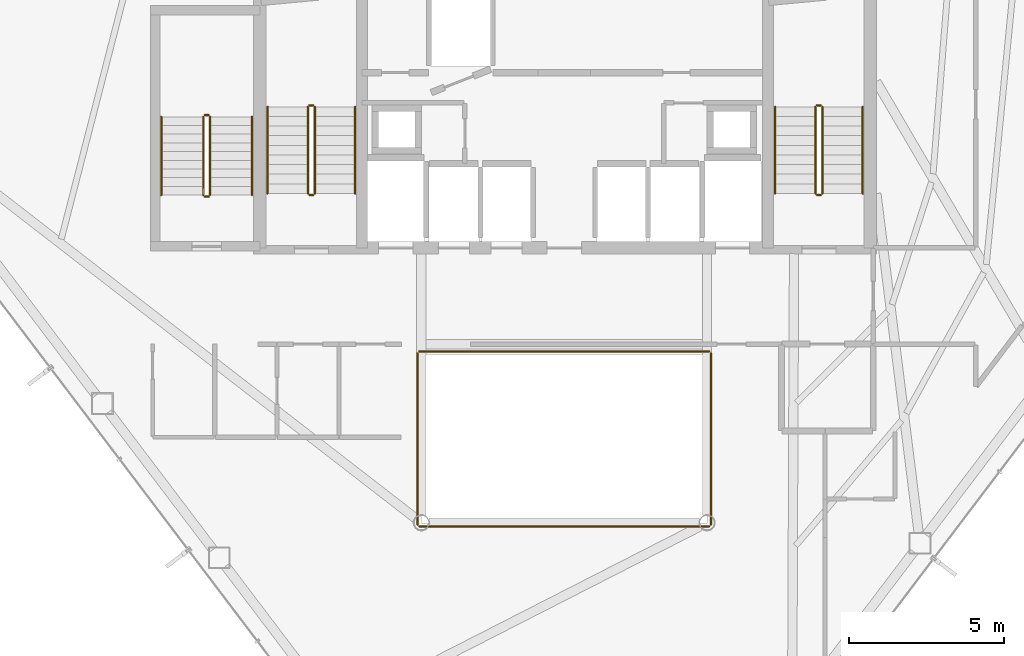
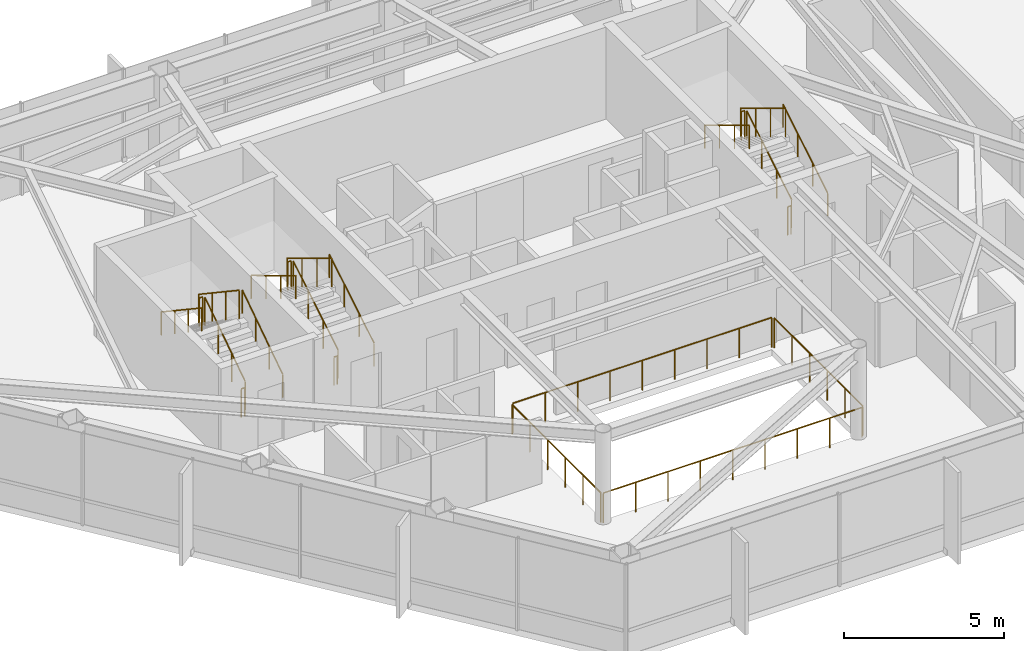
# One storey, part 28 of 28: 22 railings.
"""IFC4 building model written with IfcOpenShell, lengths in metres."""

from ifc_helpers import new_model, si_unit, direction, frame, origin, origin_2d, place, context, subcontext, project, spatial, circle, extrude, material, type_object, element, save


model = new_model("IFC4")

# Units and contexts
model_context = context("Model", 3, precision=1e-05, world=origin(), true_north=direction((0.0, 1.0)))
body_context = subcontext(model_context, "Body", "Model", "MODEL_VIEW")
ifc_project = project(units=[si_unit("LENGTHUNIT", "METRE"), si_unit("AREAUNIT", "SQUARE_METRE"), si_unit("VOLUMEUNIT", "CUBIC_METRE"), si_unit("PLANEANGLEUNIT", "RADIAN"), si_unit("MASSUNIT", "GRAM", prefix="KILO")], contexts=[model_context])

# Site, building, storey
site_placement = place(None, origin())
site = spatial("IfcSite", under=ifc_project, at=site_placement, CompositionType="ELEMENT")
building_placement = place(site_placement, origin())
building = spatial("IfcBuilding", under=site, at=building_placement, Name="Zarrinselat Tower", CompositionType="ELEMENT")
storey_placement = place(building_placement, frame((0.0, 0.0, 168.300048828125)))
storey = spatial("IfcBuildingStorey", under=building, at=storey_placement, Name="L41", CompositionType="ELEMENT", Elevation=168.300048828125)

# Railings
ifc_material_1 = material(Name="Double Low-E Laminated Solar Glass", Category="glass")
railing_type_1 = type_object("IfcRailingType", Name="RLG-ATRIUM-BAL", PredefinedType="BALUSTRADE", material=ifc_material_1)
railing_1_placement = place(storey_placement, frame((33.739990234375, 24.280029296875, 0.0)))
element("IfcRailing", 1, at=railing_1_placement, inside=storey, type_object=railing_type_1, Name="L41 Atrium Void Glass Balustrade S", PredefinedType="BALUSTRADE", context=body_context, shape_type="SweptSolid", body=[
    extrude(circle(Radius=0.02392578125, at=origin_2d()), frame((0.0, 0.0, 1.1259765625), z_axis=(1.0, 0.0, 0.0), x_axis=(0.0, 1.0, 0.0)), (0.0, 0.0, 1.0), 9.320068359375),
    extrude(circle(Radius=0.02099609375, at=origin_2d()), origin(), (0.0, 0.0, 1.0), 1.099853515625),
    extrude(circle(Radius=0.02099609375, at=origin_2d()), frame((1.1650390625, 0.0, 0.0)), (0.0, 0.0, 1.0), 1.099853515625),
    extrude(circle(Radius=0.02099609375, at=origin_2d()), frame((2.330078125, 0.0, 0.0)), (0.0, 0.0, 1.0), 1.099853515625),
    extrude(circle(Radius=0.02099609375, at=origin_2d()), frame((3.4951171875, 0.0, 0.0)), (0.0, 0.0, 1.0), 1.099853515625),
    extrude(circle(Radius=0.02099609375, at=origin_2d()), frame((4.66015625, 0.0, 0.0)), (0.0, 0.0, 1.0), 1.099853515625),
    extrude(circle(Radius=0.02099609375, at=origin_2d()), frame((5.824951171875, 0.0, 0.0)), (0.0, 0.0, 1.0), 1.099853515625),
    extrude(circle(Radius=0.02099609375, at=origin_2d()), frame((6.989990234375, 0.0, 0.0)), (0.0, 0.0, 1.0), 1.099853515625),
    extrude(circle(Radius=0.02099609375, at=origin_2d()), frame((8.155029296875, 0.0, 0.0)), (0.0, 0.0, 1.0), 1.099853515625),
    extrude(circle(Radius=0.02099609375, at=origin_2d()), frame((9.320068359375, 0.0, 0.0)), (0.0, 0.0, 1.0), 1.099853515625),
])
railing_2_placement = place(storey_placement, frame((43.1201171875, 24.340087890625, 0.0)))
element("IfcRailing", 2, at=railing_2_placement, inside=storey, type_object=railing_type_1, Name="L41 Atrium Void Glass Balustrade E", PredefinedType="BALUSTRADE", context=body_context, shape_type="SweptSolid", body=[
    extrude(circle(Radius=0.02392578125, at=origin_2d()), frame((0.0, 0.0, 1.1259765625), z_axis=(0.0, 1.0, 0.0), x_axis=(-1.0, 0.0, 0.0)), (0.0, 0.0, 1.0), 5.52001953125),
    extrude(circle(Radius=0.02099609375, at=origin_2d()), origin(), (0.0, 0.0, 1.0), 1.099853515625),
    extrude(circle(Radius=0.02099609375, at=origin_2d()), frame((0.0, 1.10400390625, 0.0)), (0.0, 0.0, 1.0), 1.099853515625),
    extrude(circle(Radius=0.02099609375, at=origin_2d()), frame((0.0, 2.2080078125, 0.0)), (0.0, 0.0, 1.0), 1.099853515625),
    extrude(circle(Radius=0.02099609375, at=origin_2d()), frame((0.0, 3.31201171875, 0.0)), (0.0, 0.0, 1.0), 1.099853515625),
    extrude(circle(Radius=0.02099609375, at=origin_2d()), frame((0.0, 4.416015625, 0.0)), (0.0, 0.0, 1.0), 1.099853515625),
    extrude(circle(Radius=0.02099609375, at=origin_2d()), frame((0.0, 5.52001953125, 0.0)), (0.0, 0.0, 1.0), 1.099853515625),
])
railing_3_placement = place(storey_placement, frame((43.06005859375, 29.919921875, 0.0)))
element("IfcRailing", 3, at=railing_3_placement, inside=storey, type_object=railing_type_1, Name="L41 Atrium Void Glass Balustrade N", PredefinedType="BALUSTRADE", context=body_context, shape_type="SweptSolid", body=[
    extrude(circle(Radius=0.02392578125, at=origin_2d()), frame((0.0, 0.0, 1.1259765625), z_axis=(-1.0, 0.0, 0.0), x_axis=(0.0, -1.0, 0.0)), (0.0, 0.0, 1.0), 9.320068359375),
    extrude(circle(Radius=0.02099609375, at=origin_2d()), origin(), (0.0, 0.0, 1.0), 1.099853515625),
    extrude(circle(Radius=0.02099609375, at=origin_2d()), frame((-1.1650390625, 0.0, 0.0)), (0.0, 0.0, 1.0), 1.099853515625),
    extrude(circle(Radius=0.02099609375, at=origin_2d()), frame((-2.330078125, 0.0, 0.0)), (0.0, 0.0, 1.0), 1.099853515625),
    extrude(circle(Radius=0.02099609375, at=origin_2d()), frame((-3.4951171875, 0.0, 0.0)), (0.0, 0.0, 1.0), 1.099853515625),
    extrude(circle(Radius=0.02099609375, at=origin_2d()), frame((-4.66015625, 0.0, 0.0)), (0.0, 0.0, 1.0), 1.099853515625),
    extrude(circle(Radius=0.02099609375, at=origin_2d()), frame((-5.824951171875, 0.0, 0.0)), (0.0, 0.0, 1.0), 1.099853515625),
    extrude(circle(Radius=0.02099609375, at=origin_2d()), frame((-6.989990234375, 0.0, 0.0)), (0.0, 0.0, 1.0), 1.099853515625),
    extrude(circle(Radius=0.02099609375, at=origin_2d()), frame((-8.155029296875, 0.0, 0.0)), (0.0, 0.0, 1.0), 1.099853515625),
    extrude(circle(Radius=0.02099609375, at=origin_2d()), frame((-9.320068359375, 0.0, 0.0)), (0.0, 0.0, 1.0), 1.099853515625),
])
railing_4_placement = place(storey_placement, frame((33.679931640625, 29.860107421875, 0.0)))
element("IfcRailing", 4, at=railing_4_placement, inside=storey, type_object=railing_type_1, Name="L41 Atrium Void Glass Balustrade W", PredefinedType="BALUSTRADE", context=body_context, shape_type="SweptSolid", body=[
    extrude(circle(Radius=0.02392578125, at=origin_2d()), frame((0.0, 0.0, 1.1259765625), z_axis=(0.0, -1.0, 0.0), x_axis=(1.0, 0.0, 0.0)), (0.0, 0.0, 1.0), 5.52001953125),
    extrude(circle(Radius=0.02099609375, at=origin_2d()), origin(), (0.0, 0.0, 1.0), 1.099853515625),
    extrude(circle(Radius=0.02099609375, at=origin_2d()), frame((0.0, -1.10400390625, 0.0)), (0.0, 0.0, 1.0), 1.099853515625),
    extrude(circle(Radius=0.02099609375, at=origin_2d()), frame((0.0, -2.2080078125, 0.0)), (0.0, 0.0, 1.0), 1.099853515625),
    extrude(circle(Radius=0.02099609375, at=origin_2d()), frame((0.0, -3.31201171875, 0.0)), (0.0, 0.0, 1.0), 1.099853515625),
    extrude(circle(Radius=0.02099609375, at=origin_2d()), frame((0.0, -4.416015625, 0.0)), (0.0, 0.0, 1.0), 1.099853515625),
    extrude(circle(Radius=0.02099609375, at=origin_2d()), frame((0.0, -5.52001953125, 0.0)), (0.0, 0.0, 1.0), 1.099853515625),
])
ifc_material_2 = material(Name="Steel S355J2", Category="steel")
railing_type_2 = type_object("IfcRailingType", Name="RLG-STAIR-GUARD", PredefinedType="GUARDRAIL", material=ifc_material_2)
railing_5_placement = place(storey_placement, frame((30.3701171875, 35.0, 0.18701171875)))
element("IfcRailing", 5, at=railing_5_placement, inside=storey, type_object=railing_type_2, Name="L41 ST-1 stair guard 1", PredefinedType="GUARDRAIL", context=body_context, shape_type="SweptSolid", body=[
    extrude(circle(Radius=0.02392578125, at=origin_2d()), frame((0.0, 0.0, 1.076171875), z_axis=(0.0, 0.856293938615, 0.516488809842), x_axis=(-1.0, 0.0, 0.0)), (0.0, 0.0, 1.0), 3.25830078125),
    extrude(circle(Radius=0.02099609375, at=origin_2d()), origin(), (0.0, 0.0, 1.0), 1.050048828125),
    extrude(circle(Radius=0.02099609375, at=origin_2d()), frame((0.0, 0.929931640625, 0.56103515625)), (0.0, 0.0, 1.0), 1.050048828125),
    extrude(circle(Radius=0.02099609375, at=origin_2d()), frame((0.0, 1.860107421875, 1.121826171875)), (0.0, 0.0, 1.0), 1.050048828125),
    extrude(circle(Radius=0.02099609375, at=origin_2d()), frame((0.0, 2.7900390625, 1.682861328125)), (0.0, 0.0, 1.0), 1.050048828125),
])
railing_6_placement = place(storey_placement, frame((30.320068359375, 37.840087890625, 1.869873046875)))
element("IfcRailing", 6, at=railing_6_placement, inside=storey, type_object=railing_type_2, Name="L41 ST-1 stair guard 2", PredefinedType="GUARDRAIL", context=body_context, shape_type="SweptSolid", body=[
    extrude(circle(Radius=0.02392578125, at=origin_2d()), frame((0.0, 0.0, 1.076171875), z_axis=(-1.0, 0.0, 0.0), x_axis=(0.0, -1.0, 0.0)), (0.0, 0.0, 1.0), 0.1201171875),
    extrude(circle(Radius=0.02099609375, at=origin_2d()), origin(), (0.0, 0.0, 1.0), 1.050048828125),
    extrude(circle(Radius=0.02099609375, at=origin_2d()), frame((-0.1201171875, 0.0, 0.0)), (0.0, 0.0, 1.0), 1.050048828125),
])
railing_7_placement = place(storey_placement, frame((30.14990234375, 37.7900390625, 2.056884765625)))
element("IfcRailing", 7, at=railing_7_placement, inside=storey, type_object=railing_type_2, Name="L41 ST-1 stair guard 3", PredefinedType="GUARDRAIL", context=body_context, shape_type="SweptSolid", body=[
    extrude(circle(Radius=0.02392578125, at=origin_2d()), frame((0.0, 0.0, 1.076171875), z_axis=(0.0, -0.856260799362, 0.516543747882), x_axis=(1.0, 0.0, 0.0)), (0.0, 0.0, 1.0), 3.25830078125),
    extrude(circle(Radius=0.02099609375, at=origin_2d()), origin(), (0.0, 0.0, 1.0), 1.050048828125),
    extrude(circle(Radius=0.02099609375, at=origin_2d()), frame((0.0, -0.929931640625, 0.56103515625)), (0.0, 0.0, 1.0), 1.050048828125),
    extrude(circle(Radius=0.02099609375, at=origin_2d()), frame((0.0, -1.860107421875, 1.1220703125)), (0.0, 0.0, 1.0), 1.050048828125),
    extrude(circle(Radius=0.02099609375, at=origin_2d()), frame((0.0, -2.7900390625, 1.68310546875)), (0.0, 0.0, 1.0), 1.050048828125),
])
railing_8_placement = place(storey_placement, frame((30.320068359375, 34.949951171875, 0.0)))
element("IfcRailing", 8, at=railing_8_placement, inside=storey, type_object=railing_type_2, Name="L41 ST-1 stair guard 4", PredefinedType="GUARDRAIL", context=body_context, shape_type="SweptSolid", body=[
    extrude(circle(Radius=0.02392578125, at=origin_2d()), frame((0.0, 0.0, 1.076171875), z_axis=(-1.0, 0.0, 0.0), x_axis=(0.0, -1.0, 0.0)), (0.0, 0.0, 1.0), 0.1201171875),
    extrude(circle(Radius=0.02099609375, at=origin_2d()), origin(), (0.0, 0.0, 1.0), 1.050048828125),
    extrude(circle(Radius=0.02099609375, at=origin_2d()), frame((-0.1201171875, 0.0, 0.0)), (0.0, 0.0, 1.0), 1.050048828125),
])
railing_9_placement = place(storey_placement, frame((46.7099609375, 35.0, 0.18701171875)))
element("IfcRailing", 9, at=railing_9_placement, inside=storey, type_object=railing_type_2, Name="L41 ST-2 stair guard 1", PredefinedType="GUARDRAIL", context=body_context, shape_type="SweptSolid", body=[
    extrude(circle(Radius=0.02392578125, at=origin_2d()), frame((0.0, 0.0, 1.076171875), z_axis=(0.0, 0.856293938615, 0.516488809842), x_axis=(-1.0, 0.0, 0.0)), (0.0, 0.0, 1.0), 3.25830078125),
    extrude(circle(Radius=0.02099609375, at=origin_2d()), origin(), (0.0, 0.0, 1.0), 1.050048828125),
    extrude(circle(Radius=0.02099609375, at=origin_2d()), frame((0.0, 0.929931640625, 0.56103515625)), (0.0, 0.0, 1.0), 1.050048828125),
    extrude(circle(Radius=0.02099609375, at=origin_2d()), frame((0.0, 1.860107421875, 1.121826171875)), (0.0, 0.0, 1.0), 1.050048828125),
    extrude(circle(Radius=0.02099609375, at=origin_2d()), frame((0.0, 2.7900390625, 1.682861328125)), (0.0, 0.0, 1.0), 1.050048828125),
])
railing_10_placement = place(storey_placement, frame((46.659912109375, 37.840087890625, 1.869873046875)))
element("IfcRailing", 10, at=railing_10_placement, inside=storey, type_object=railing_type_2, Name="L41 ST-2 stair guard 2", PredefinedType="GUARDRAIL", context=body_context, shape_type="SweptSolid", body=[
    extrude(circle(Radius=0.02392578125, at=origin_2d()), frame((0.0, 0.0, 1.076171875), z_axis=(-1.0, 0.0, 0.0), x_axis=(0.0, -1.0, 0.0)), (0.0, 0.0, 1.0), 0.119873046875),
    extrude(circle(Radius=0.02099609375, at=origin_2d()), origin(), (0.0, 0.0, 1.0), 1.050048828125),
    extrude(circle(Radius=0.02099609375, at=origin_2d()), frame((-0.119873046875, 0.0, 0.0)), (0.0, 0.0, 1.0), 1.050048828125),
])
railing_11_placement = place(storey_placement, frame((46.489990234375, 37.7900390625, 2.056884765625)))
element("IfcRailing", 11, at=railing_11_placement, inside=storey, type_object=railing_type_2, Name="L41 ST-2 stair guard 3", PredefinedType="GUARDRAIL", context=body_context, shape_type="SweptSolid", body=[
    extrude(circle(Radius=0.02392578125, at=origin_2d()), frame((0.0, 0.0, 1.076171875), z_axis=(0.0, -0.856260799362, 0.516543747882), x_axis=(1.0, 0.0, 0.0)), (0.0, 0.0, 1.0), 3.25830078125),
    extrude(circle(Radius=0.02099609375, at=origin_2d()), origin(), (0.0, 0.0, 1.0), 1.050048828125),
    extrude(circle(Radius=0.02099609375, at=origin_2d()), frame((0.0, -0.929931640625, 0.56103515625)), (0.0, 0.0, 1.0), 1.050048828125),
    extrude(circle(Radius=0.02099609375, at=origin_2d()), frame((0.0, -1.860107421875, 1.1220703125)), (0.0, 0.0, 1.0), 1.050048828125),
    extrude(circle(Radius=0.02099609375, at=origin_2d()), frame((0.0, -2.7900390625, 1.68310546875)), (0.0, 0.0, 1.0), 1.050048828125),
])
railing_12_placement = place(storey_placement, frame((46.659912109375, 34.949951171875, 0.0)))
element("IfcRailing", 12, at=railing_12_placement, inside=storey, type_object=railing_type_2, Name="L41 ST-2 stair guard 4", PredefinedType="GUARDRAIL", context=body_context, shape_type="SweptSolid", body=[
    extrude(circle(Radius=0.02392578125, at=origin_2d()), frame((0.0, 0.0, 1.076171875), z_axis=(-1.0, 0.0, 0.0), x_axis=(0.0, -1.0, 0.0)), (0.0, 0.0, 1.0), 0.119873046875),
    extrude(circle(Radius=0.02099609375, at=origin_2d()), origin(), (0.0, 0.0, 1.0), 1.050048828125),
    extrude(circle(Radius=0.02099609375, at=origin_2d()), frame((-0.119873046875, 0.0, 0.0)), (0.0, 0.0, 1.0), 1.050048828125),
])
railing_13_placement = place(storey_placement, frame((27.0, 34.949951171875, 0.18701171875)))
element("IfcRailing", 13, at=railing_13_placement, inside=storey, type_object=railing_type_2, Name="L41 ST-3 stair guard 1", PredefinedType="GUARDRAIL", context=body_context, shape_type="SweptSolid", body=[
    extrude(circle(Radius=0.02392578125, at=origin_2d()), frame((0.0, 0.0, 1.076171875), z_axis=(0.0, 0.831616215664, 0.555350762892), x_axis=(-1.0, 0.0, 0.0)), (0.0, 0.0, 1.0), 3.0302734375),
    extrude(circle(Radius=0.02099609375, at=origin_2d()), origin(), (0.0, 0.0, 1.0), 1.050048828125),
    extrude(circle(Radius=0.02099609375, at=origin_2d()), frame((0.0, 0.840087890625, 0.56103515625)), (0.0, 0.0, 1.0), 1.050048828125),
    extrude(circle(Radius=0.02099609375, at=origin_2d()), frame((0.0, 1.679931640625, 1.121826171875)), (0.0, 0.0, 1.0), 1.050048828125),
    extrude(circle(Radius=0.02099609375, at=origin_2d()), frame((0.0, 2.52001953125, 1.682861328125)), (0.0, 0.0, 1.0), 1.050048828125),
])
railing_14_placement = place(storey_placement, frame((26.949951171875, 37.52001953125, 1.869873046875)))
element("IfcRailing", 14, at=railing_14_placement, inside=storey, type_object=railing_type_2, Name="L41 ST-3 stair guard 2", PredefinedType="GUARDRAIL", context=body_context, shape_type="SweptSolid", body=[
    extrude(circle(Radius=0.02392578125, at=origin_2d()), frame((0.0, 0.0, 1.076171875), z_axis=(-1.0, 0.0, 0.0), x_axis=(0.0, -1.0, 0.0)), (0.0, 0.0, 1.0), 0.119873046875),
    extrude(circle(Radius=0.02099609375, at=origin_2d()), origin(), (0.0, 0.0, 1.0), 1.050048828125),
    extrude(circle(Radius=0.02099609375, at=origin_2d()), frame((-0.119873046875, 0.0, 0.0)), (0.0, 0.0, 1.0), 1.050048828125),
])
railing_15_placement = place(storey_placement, frame((26.780029296875, 37.469970703125, 2.056884765625)))
element("IfcRailing", 15, at=railing_15_placement, inside=storey, type_object=railing_type_2, Name="L41 ST-3 stair guard 3", PredefinedType="GUARDRAIL", context=body_context, shape_type="SweptSolid", body=[
    extrude(circle(Radius=0.02392578125, at=origin_2d()), frame((0.0, 0.0, 1.076171875), z_axis=(0.0, -0.831579006341, 0.555406478368), x_axis=(1.0, 0.0, 0.0)), (0.0, 0.0, 1.0), 3.030517578125),
    extrude(circle(Radius=0.02099609375, at=origin_2d()), origin(), (0.0, 0.0, 1.0), 1.050048828125),
    extrude(circle(Radius=0.02099609375, at=origin_2d()), frame((0.0, -0.840087890625, 0.56103515625)), (0.0, 0.0, 1.0), 1.050048828125),
    extrude(circle(Radius=0.02099609375, at=origin_2d()), frame((0.0, -1.679931640625, 1.1220703125)), (0.0, 0.0, 1.0), 1.050048828125),
    extrude(circle(Radius=0.02099609375, at=origin_2d()), frame((0.0, -2.52001953125, 1.68310546875)), (0.0, 0.0, 1.0), 1.050048828125),
])
railing_16_placement = place(storey_placement, frame((26.949951171875, 34.89990234375, 0.0)))
element("IfcRailing", 16, at=railing_16_placement, inside=storey, type_object=railing_type_2, Name="L41 ST-3 stair guard 4", PredefinedType="GUARDRAIL", context=body_context, shape_type="SweptSolid", body=[
    extrude(circle(Radius=0.02392578125, at=origin_2d()), frame((0.0, 0.0, 1.076171875), z_axis=(-1.0, 0.0, 0.0), x_axis=(0.0, -1.0, 0.0)), (0.0, 0.0, 1.0), 0.119873046875),
    extrude(circle(Radius=0.02099609375, at=origin_2d()), origin(), (0.0, 0.0, 1.0), 1.050048828125),
    extrude(circle(Radius=0.02099609375, at=origin_2d()), frame((-0.119873046875, 0.0, 0.0)), (0.0, 0.0, 1.0), 1.050048828125),
])
ifc_material_3 = material(Name="Steel S355J2", Category="steel")
railing_type_3 = type_object("IfcRailingType", Name="RLG-STAIR-HAND", PredefinedType="HANDRAIL", material=ifc_material_3)
railing_17_placement = place(storey_placement, frame((31.669921875, 35.0, 0.18701171875)))
element("IfcRailing", 17, at=railing_17_placement, inside=storey, type_object=railing_type_3, Name="L41 ST-1 stair handrail 1", PredefinedType="HANDRAIL", context=body_context, shape_type="SweptSolid", body=[
    extrude(circle(Radius=0.02392578125, at=origin_2d()), frame((0.0, 0.0, 0.8759765625), z_axis=(0.0, 0.856293938615, 0.516488809842), x_axis=(-1.0, 0.0, 0.0)), (0.0, 0.0, 1.0), 3.25830078125),
    extrude(circle(Radius=0.02099609375, at=origin_2d()), origin(), (0.0, 0.0, 1.0), 0.849853515625),
    extrude(circle(Radius=0.02099609375, at=origin_2d()), frame((0.0, 0.929931640625, 0.56103515625)), (0.0, 0.0, 1.0), 0.849853515625),
    extrude(circle(Radius=0.02099609375, at=origin_2d()), frame((0.0, 1.860107421875, 1.121826171875)), (0.0, 0.0, 1.0), 0.849853515625),
    extrude(circle(Radius=0.02099609375, at=origin_2d()), frame((0.0, 2.7900390625, 1.682861328125)), (0.0, 0.0, 1.0), 0.849853515625),
])
railing_18_placement = place(storey_placement, frame((28.85009765625, 37.7900390625, 2.056884765625)))
element("IfcRailing", 18, at=railing_18_placement, inside=storey, type_object=railing_type_3, Name="L41 ST-1 stair handrail 2", PredefinedType="HANDRAIL", context=body_context, shape_type="SweptSolid", body=[
    extrude(circle(Radius=0.02392578125, at=origin_2d()), frame((0.0, 0.0, 0.8759765625), z_axis=(0.0, -0.856260799362, 0.516543747882), x_axis=(1.0, 0.0, 0.0)), (0.0, 0.0, 1.0), 3.25830078125),
    extrude(circle(Radius=0.02099609375, at=origin_2d()), origin(), (0.0, 0.0, 1.0), 0.849853515625),
    extrude(circle(Radius=0.02099609375, at=origin_2d()), frame((0.0, -0.929931640625, 0.56103515625)), (0.0, 0.0, 1.0), 0.849853515625),
    extrude(circle(Radius=0.02099609375, at=origin_2d()), frame((0.0, -1.860107421875, 1.1220703125)), (0.0, 0.0, 1.0), 0.849853515625),
    extrude(circle(Radius=0.02099609375, at=origin_2d()), frame((0.0, -2.7900390625, 1.68310546875)), (0.0, 0.0, 1.0), 0.849853515625),
])
railing_19_placement = place(storey_placement, frame((48.010009765625, 35.0, 0.18701171875)))
element("IfcRailing", 19, at=railing_19_placement, inside=storey, type_object=railing_type_3, Name="L41 ST-2 stair handrail 1", PredefinedType="HANDRAIL", context=body_context, shape_type="SweptSolid", body=[
    extrude(circle(Radius=0.02392578125, at=origin_2d()), frame((0.0, 0.0, 0.8759765625), z_axis=(0.0, 0.856293938615, 0.516488809842), x_axis=(-1.0, 0.0, 0.0)), (0.0, 0.0, 1.0), 3.25830078125),
    extrude(circle(Radius=0.02099609375, at=origin_2d()), origin(), (0.0, 0.0, 1.0), 0.849853515625),
    extrude(circle(Radius=0.02099609375, at=origin_2d()), frame((0.0, 0.929931640625, 0.56103515625)), (0.0, 0.0, 1.0), 0.849853515625),
    extrude(circle(Radius=0.02099609375, at=origin_2d()), frame((0.0, 1.860107421875, 1.121826171875)), (0.0, 0.0, 1.0), 0.849853515625),
    extrude(circle(Radius=0.02099609375, at=origin_2d()), frame((0.0, 2.7900390625, 1.682861328125)), (0.0, 0.0, 1.0), 0.849853515625),
])
railing_20_placement = place(storey_placement, frame((45.18994140625, 37.7900390625, 2.056884765625)))
element("IfcRailing", 20, at=railing_20_placement, inside=storey, type_object=railing_type_3, Name="L41 ST-2 stair handrail 2", PredefinedType="HANDRAIL", context=body_context, shape_type="SweptSolid", body=[
    extrude(circle(Radius=0.02392578125, at=origin_2d()), frame((0.0, 0.0, 0.8759765625), z_axis=(0.0, -0.856260799362, 0.516543747882), x_axis=(1.0, 0.0, 0.0)), (0.0, 0.0, 1.0), 3.25830078125),
    extrude(circle(Radius=0.02099609375, at=origin_2d()), origin(), (0.0, 0.0, 1.0), 0.849853515625),
    extrude(circle(Radius=0.02099609375, at=origin_2d()), frame((0.0, -0.929931640625, 0.56103515625)), (0.0, 0.0, 1.0), 0.849853515625),
    extrude(circle(Radius=0.02099609375, at=origin_2d()), frame((0.0, -1.860107421875, 1.1220703125)), (0.0, 0.0, 1.0), 0.849853515625),
    extrude(circle(Radius=0.02099609375, at=origin_2d()), frame((0.0, -2.7900390625, 1.68310546875)), (0.0, 0.0, 1.0), 0.849853515625),
])
railing_21_placement = place(storey_placement, frame((28.35009765625, 34.949951171875, 0.18701171875)))
element("IfcRailing", 21, at=railing_21_placement, inside=storey, type_object=railing_type_3, Name="L41 ST-3 stair handrail 1", PredefinedType="HANDRAIL", context=body_context, shape_type="SweptSolid", body=[
    extrude(circle(Radius=0.02392578125, at=origin_2d()), frame((0.0, 0.0, 0.8759765625), z_axis=(0.0, 0.831616215664, 0.555350762892), x_axis=(-1.0, 0.0, 0.0)), (0.0, 0.0, 1.0), 3.0302734375),
    extrude(circle(Radius=0.02099609375, at=origin_2d()), origin(), (0.0, 0.0, 1.0), 0.849853515625),
    extrude(circle(Radius=0.02099609375, at=origin_2d()), frame((0.0, 0.840087890625, 0.56103515625)), (0.0, 0.0, 1.0), 0.849853515625),
    extrude(circle(Radius=0.02099609375, at=origin_2d()), frame((0.0, 1.679931640625, 1.121826171875)), (0.0, 0.0, 1.0), 0.849853515625),
    extrude(circle(Radius=0.02099609375, at=origin_2d()), frame((0.0, 2.52001953125, 1.682861328125)), (0.0, 0.0, 1.0), 0.849853515625),
])
railing_22_placement = place(storey_placement, frame((25.429931640625, 37.469970703125, 2.056884765625)))
element("IfcRailing", 22, at=railing_22_placement, inside=storey, type_object=railing_type_3, Name="L41 ST-3 stair handrail 2", PredefinedType="HANDRAIL", context=body_context, shape_type="SweptSolid", body=[
    extrude(circle(Radius=0.02392578125, at=origin_2d()), frame((0.0, 0.0, 0.8759765625), z_axis=(0.0, -0.831579006341, 0.555406478368), x_axis=(1.0, 0.0, 0.0)), (0.0, 0.0, 1.0), 3.030517578125),
    extrude(circle(Radius=0.02099609375, at=origin_2d()), origin(), (0.0, 0.0, 1.0), 0.849853515625),
    extrude(circle(Radius=0.02099609375, at=origin_2d()), frame((0.0, -0.840087890625, 0.56103515625)), (0.0, 0.0, 1.0), 0.849853515625),
    extrude(circle(Radius=0.02099609375, at=origin_2d()), frame((0.0, -1.679931640625, 1.1220703125)), (0.0, 0.0, 1.0), 0.849853515625),
    extrude(circle(Radius=0.02099609375, at=origin_2d()), frame((0.0, -2.52001953125, 1.68310546875)), (0.0, 0.0, 1.0), 0.849853515625),
])

save(model, "model.ifc")
